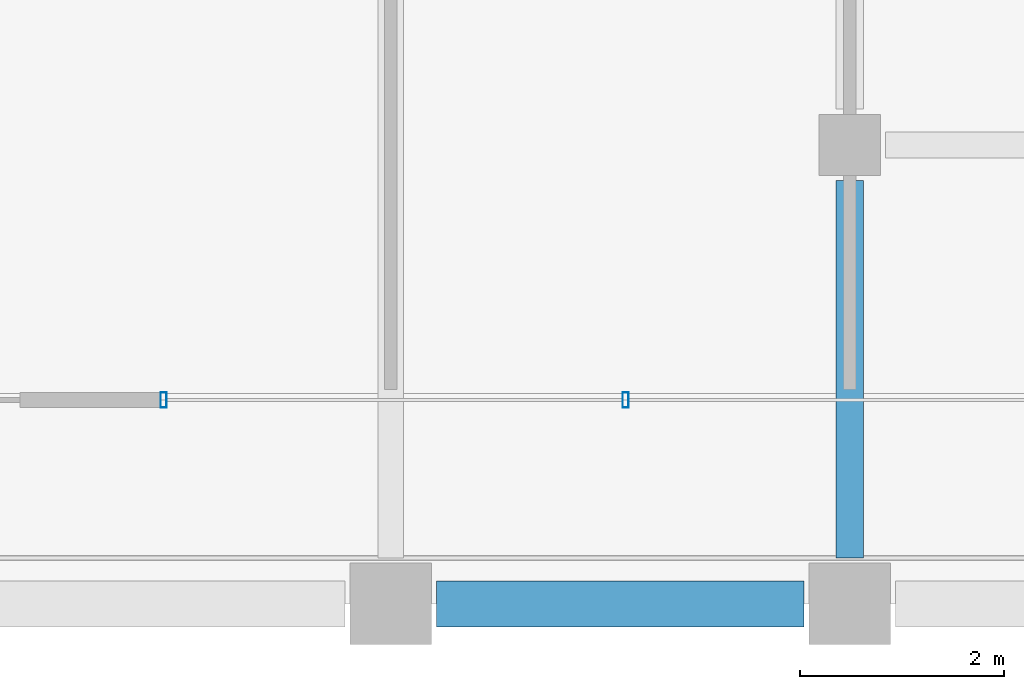
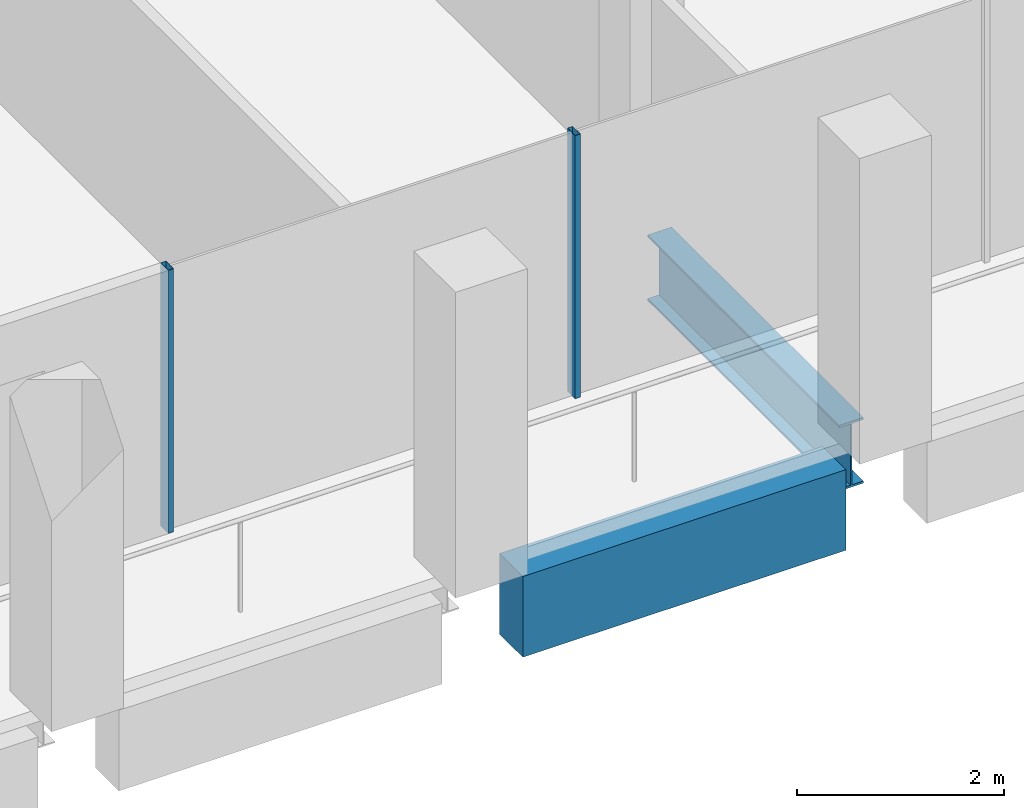
# One storey, part 9 of 40: 2 beams, 2 members, 1 element without a shape of its own.
"""IFC4 building model written with IfcOpenShell, lengths in metres."""

from ifc_helpers import new_model, si_unit, direction, frame, origin, origin_2d, place, context, subcontext, project, spatial, rectangle, hollow_rectangle, i_section, extrude, material, material_profile, profile_set, type_object, element, aggregate, save


model = new_model("IFC4")

# Units and contexts
model_context = context("Model", 3, precision=1e-05, world=origin(), true_north=direction((0.0, 1.0)))
body_context = subcontext(model_context, "Body", "Model", "MODEL_VIEW")
ifc_project = project(units=[si_unit("LENGTHUNIT", "METRE"), si_unit("AREAUNIT", "SQUARE_METRE"), si_unit("VOLUMEUNIT", "CUBIC_METRE"), si_unit("PLANEANGLEUNIT", "RADIAN"), si_unit("MASSUNIT", "GRAM", prefix="KILO")], contexts=[model_context])

# Site, building, storey
site_placement = place(None, origin())
site = spatial("IfcSite", under=ifc_project, at=site_placement, CompositionType="ELEMENT")
building_placement = place(site_placement, origin())
building = spatial("IfcBuilding", under=site, at=building_placement, Name="Altepetl Exchange Towers", CompositionType="ELEMENT")
storey_placement = place(building_placement, frame((0.0, 0.0, 195.60009765625)))
storey = spatial("IfcBuildingStorey", under=building, at=storey_placement, Name="L49", CompositionType="ELEMENT", Elevation=195.60009765625)

# Beam
ifc_material_1 = material(Name="Steel S355", Category="steel")
ifc_material_profile_1 = material_profile(ifc_material_1, i_section(OverallWidth=0.26806640625, OverallDepth=0.77392578125, WebThickness=0.015380859375, FlangeThickness=0.025390625, at=origin_2d()), Name="W30X132")
ifc_profile_set_1 = profile_set([ifc_material_profile_1], Name="Steel S355")
beam_type_1 = type_object("IfcBeamType", Name="Girder W30X132", PredefinedType="BEAM", material=ifc_profile_set_1)
beam_1_placement = place(storey_placement, frame((58.5, 31.14990234375, -0.537109375), z_axis=(0.0, -1.0, 0.0), x_axis=(1.0, 0.0, 0.0)))
element("IfcBeam", 1, at=beam_1_placement, inside=storey, type_object=beam_type_1, Name="gd:A:L49:005", PredefinedType="BEAM", context=body_context, shape_type="SweptSolid", body=[
    extrude(i_section(OverallWidth=0.26806640625, OverallDepth=0.77392578125, WebThickness=0.015380859375, FlangeThickness=0.025390625, at=origin_2d()), origin(), (0.0, 0.0, 1.0), 3.699951171875),
])

# Curtain wall, members
ifc_material_2 = material(Name="Aluminium 6063-T6 glazing", Category="aluminium")
curtain_wall_type = type_object("IfcCurtainWallType", Name="Loggia glazing system", PredefinedType="NOTDEFINED", material=ifc_material_2)
curtain_wall_placement = place(storey_placement, origin())
curtain_wall = element("IfcCurtainWall", 2, at=curtain_wall_placement, inside=storey, type_object=curtain_wall_type, Name="CW1 run", PredefinedType="NOTDEFINED")
ifc_material_3 = material(Name="Aluminium 6063-T6", Category="aluminium")
ifc_material_profile_2 = material_profile(ifc_material_3, hollow_rectangle(XDim=0.06005859375, YDim=0.14990234375, WallThickness=0.0029296875, at=origin_2d()), Name="Mullion 60x150 aluminium")
ifc_profile_set_2 = profile_set([ifc_material_profile_2], Name="Aluminium 6063-T6")
member_type = type_object("IfcMemberType", Name="Mullion 60x150 aluminium", PredefinedType="MULLION", material=ifc_profile_set_2)
member_1_placement = place(storey_placement, frame((51.77294921875, 29.0, 0.0)))
member_1 = element("IfcMember", 3, at=member_1_placement, type_object=member_type, Name="MU1 mullion", PredefinedType="MULLION", context=body_context, shape_type="SweptSolid", body=[
    extrude(hollow_rectangle(XDim=0.06005859375, YDim=0.14990234375, WallThickness=0.0029296875, at=origin_2d()), origin(), (0.0, 0.0, 1.0), 3.099853515625),
])
member_2_placement = place(storey_placement, frame((56.303466796875, 29.0, 0.0)))
member_2 = element("IfcMember", 4, at=member_2_placement, type_object=member_type, Name="MU1 mullion", PredefinedType="MULLION", context=body_context, shape_type="SweptSolid", body=[
    extrude(hollow_rectangle(XDim=0.06005859375, YDim=0.14990234375, WallThickness=0.0029296875, at=origin_2d()), origin(), (0.0, 0.0, 1.0), 3.099853515625),
])
aggregate(curtain_wall, [member_1, member_2])

# Beam
ifc_material_4 = material(Name="Concrete C50/60 precast with cantera blanca facing", Category="concrete")
ifc_material_profile_3 = material_profile(ifc_material_4, rectangle(XDim=0.449951171875, YDim=0.949951171875, at=origin_2d()), Name="450 x 950")
ifc_profile_set_3 = profile_set([ifc_material_profile_3], Name="Concrete C50/60 precast with cantera blanca facing")
beam_type_2 = type_object("IfcBeamType", Name="Spandrel beam 450x950 cantera blanca", PredefinedType="SPANDREL", material=ifc_profile_set_3)
beam_2_placement = place(storey_placement, frame((54.449951171875, 27.0, -0.625), z_axis=(1.0, 0.0, 0.0), x_axis=(0.0, 1.0, 0.0)))
element("IfcBeam", 5, at=beam_2_placement, inside=storey, type_object=beam_type_2, Name="sp:A:L49:005", PredefinedType="SPANDREL", context=body_context, shape_type="SweptSolid", body=[
    extrude(rectangle(XDim=0.449951171875, YDim=0.949951171875, at=origin_2d()), origin(), (0.0, 0.0, 1.0), 3.60009765625),
])

save(model, "model.ifc")
